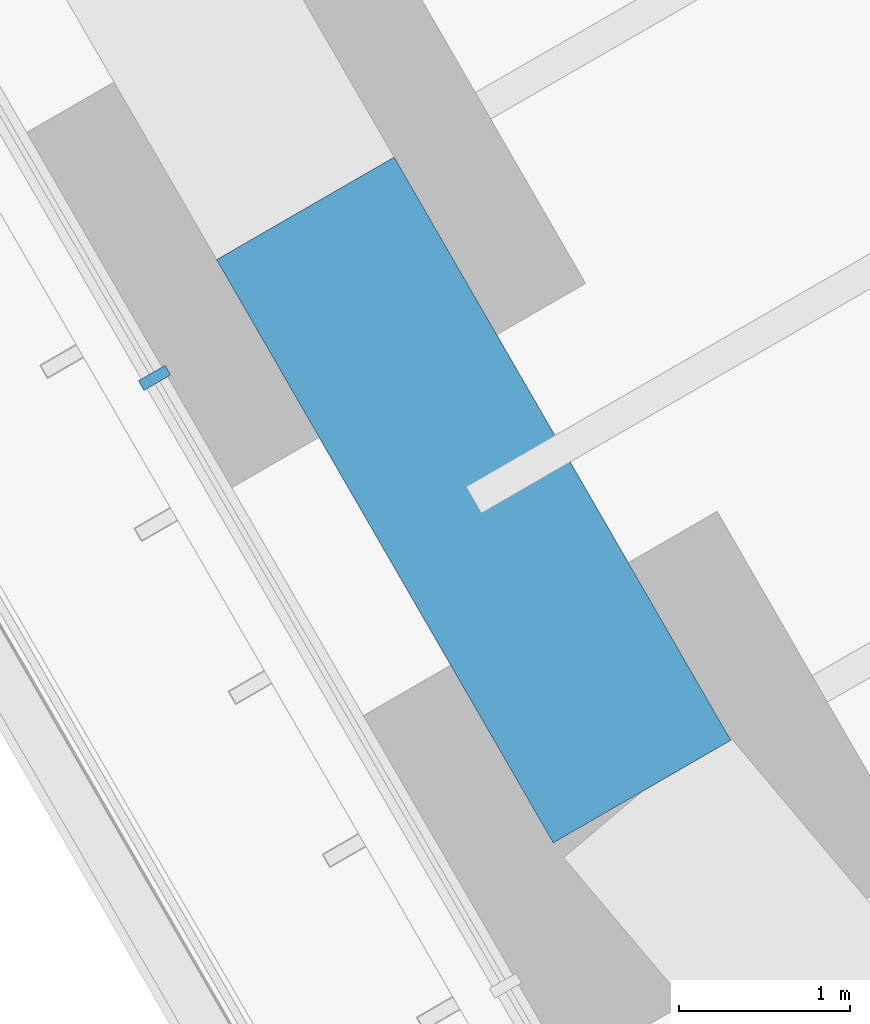
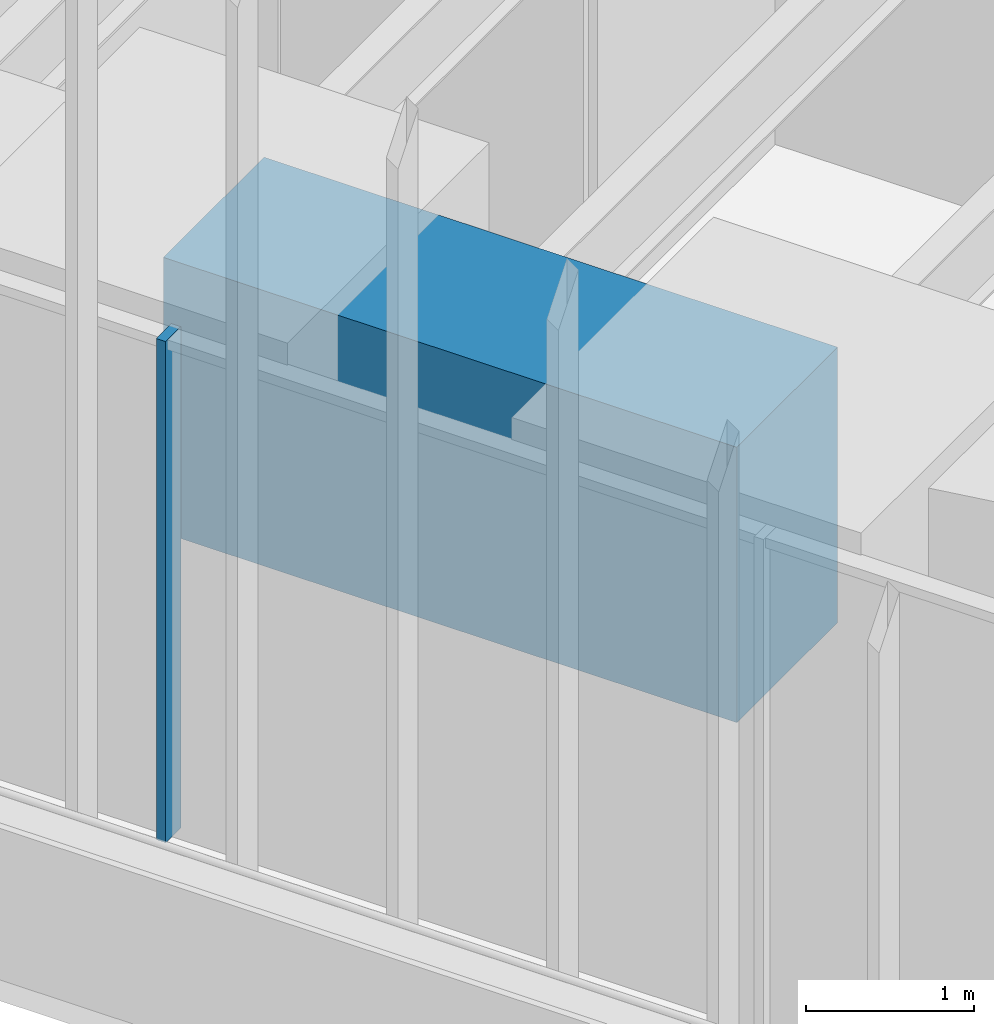
# One storey, part 30 of 238: 1 beam, 1 member, 1 element without a shape of its own.
"""IFC4 building model written with IfcOpenShell, lengths in metres."""

from ifc_helpers import new_model, si_unit, direction, frame, origin, origin_2d, place, context, subcontext, project, spatial, rectangle, extrude, material, material_profile, profile_set, type_object, element, aggregate, save


model = new_model("IFC4")

# Units and contexts
model_context = context("Model", 3, precision=1e-05, world=origin(), true_north=direction((0.0, 1.0)))
body_context = subcontext(model_context, "Body", "Model", "MODEL_VIEW")
ifc_project = project(units=[si_unit("LENGTHUNIT", "METRE"), si_unit("AREAUNIT", "SQUARE_METRE"), si_unit("VOLUMEUNIT", "CUBIC_METRE"), si_unit("PLANEANGLEUNIT", "RADIAN"), si_unit("MASSUNIT", "GRAM", prefix="KILO")], contexts=[model_context])

# Site, building, storey
site_placement = place(None, origin())
site = spatial("IfcSite", under=ifc_project, at=site_placement, CompositionType="ELEMENT")
building_placement = place(site_placement, origin())
building = spatial("IfcBuilding", under=site, at=building_placement, Name="Sandreach Pilgrim Tower", CompositionType="ELEMENT")
storey_placement = place(building_placement, frame((0.0, 0.0, 96.800048828125)))
storey = spatial("IfcBuildingStorey", under=building, at=storey_placement, Name="L23", CompositionType="ELEMENT", Elevation=96.800048828125)

# Curtain wall, member
ifc_material_1 = material(Name="Aluminium framed curtain wall", Category="aluminium")
curtain_wall_type = type_object("IfcCurtainWallType", Name="Hotel tower curtain wall", PredefinedType="NOTDEFINED", material=ifc_material_1)
curtain_wall_placement = place(storey_placement, origin())
curtain_wall = element("IfcCurtainWall", 1, at=curtain_wall_placement, inside=storey, type_object=curtain_wall_type, Name="CW-2 L23 SW", PredefinedType="NOTDEFINED")
ifc_material_2 = material(Name="Aluminium extrusion", Category="aluminium")
ifc_material_profile_1 = material_profile(ifc_material_2, rectangle(XDim=0.06494140625, YDim=0.179931640625, at=origin_2d()), Name="CW-2M 65X180")
ifc_profile_set_1 = profile_set([ifc_material_profile_1], Name="Aluminium extrusion")
member_type = type_object("IfcMemberType", Name="CW-2 mullion", PredefinedType="MULLION", material=ifc_profile_set_1)
member_placement = place(storey_placement, frame((-14.346435546875, -20.138671875, 0.0), z_axis=(0.0, 0.0, 1.0), x_axis=(-0.5, 0.866025403784, 0.0)))
member = element("IfcMember", 2, at=member_placement, type_object=member_type, Name="CW-2 mullion 3", PredefinedType="MULLION", context=body_context, shape_type="SweptSolid", body=[
    extrude(rectangle(XDim=0.06494140625, YDim=0.179931640625, at=origin_2d()), origin(), (0.0, 0.0, 1.0), 3.639892578125),
])
aggregate(curtain_wall, [member])

# Beam
ifc_material_3 = material(Name="Concrete 10000 psi", Category="concrete")
ifc_material_profile_2 = material_profile(ifc_material_3, rectangle(XDim=1.199951171875, YDim=2.0, at=origin_2d()), Name="RC1200X2000")
ifc_profile_set_2 = profile_set([ifc_material_profile_2], Name="Concrete 10000 psi")
beam_type = type_object("IfcBeamType", Name="Spandrel beam RC1200X2000", PredefinedType="SPANDREL", material=ifc_profile_set_2)
beam_placement = place(storey_placement, frame((-11.494140625, -22.559326171875, 2.639892578125), z_axis=(-0.49999779889, 0.866026674592, 0.0), x_axis=(-0.866026674592, -0.49999779889, 0.0)))
element("IfcBeam", 3, at=beam_placement, inside=storey, type_object=beam_type, Name="BM L23 SP27", PredefinedType="SPANDREL", context=body_context, shape_type="SweptSolid", body=[
    extrude(rectangle(XDim=1.199951171875, YDim=2.0, at=origin_2d()), origin(), (0.0, 0.0, 1.0), 3.93994140625),
])

save(model, "model.ifc")
